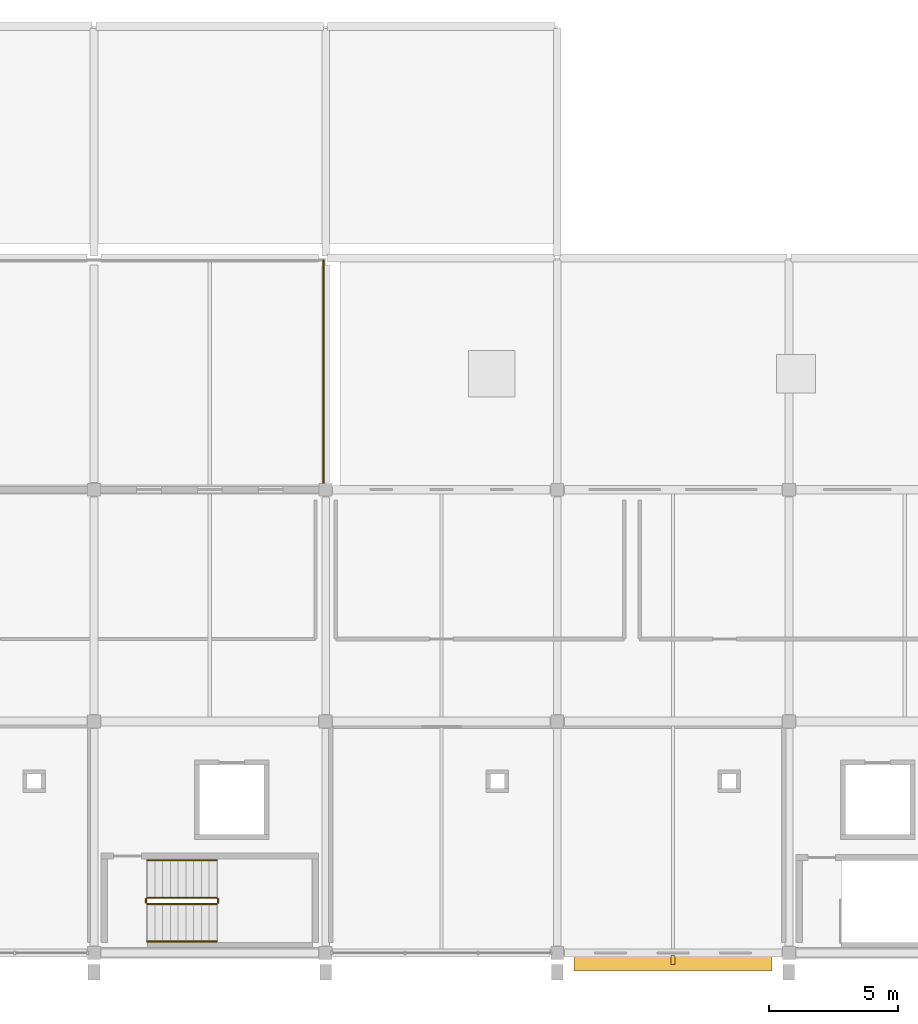
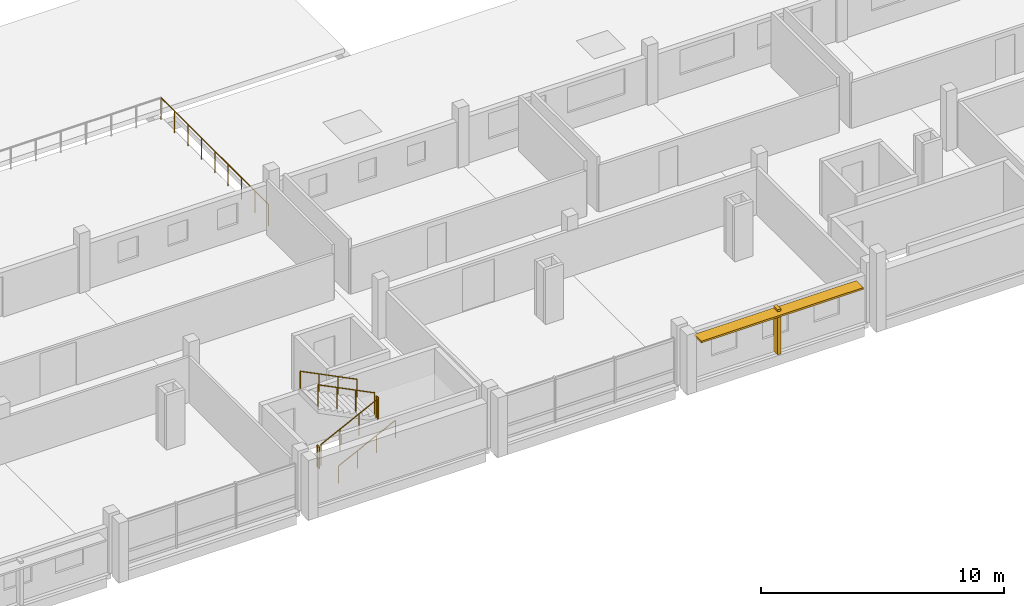
# One storey, part 24 of 25: 7 railings, 2 shading devices.
"""IFC4 building model written with IfcOpenShell, lengths in metres."""

from ifc_helpers import new_model, si_unit, direction, frame, origin, origin_2d, place, context, subcontext, project, spatial, rectangle, circle, extrude, material, layer, layer_set, type_object, element, save


model = new_model("IFC4")

# Units and contexts
model_context = context("Model", 3, precision=1e-05, world=origin(), true_north=direction((0.0, 1.0)))
body_context = subcontext(model_context, "Body", "Model", "MODEL_VIEW")
ifc_project = project(units=[si_unit("LENGTHUNIT", "METRE"), si_unit("AREAUNIT", "SQUARE_METRE"), si_unit("VOLUMEUNIT", "CUBIC_METRE"), si_unit("PLANEANGLEUNIT", "RADIAN"), si_unit("MASSUNIT", "GRAM", prefix="KILO")], contexts=[model_context])

# Site, building, storey
site_placement = place(None, origin())
site = spatial("IfcSite", under=ifc_project, at=site_placement, CompositionType="ELEMENT")
building_placement = place(site_placement, origin())
building = spatial("IfcBuilding", under=site, at=building_placement, Name="Tharagai Park Tramway Depot", CompositionType="ELEMENT")
storey_placement = place(building_placement, frame((0.0, 0.0, 12.0)))
storey = spatial("IfcBuildingStorey", under=building, at=storey_placement, Name="L03", CompositionType="ELEMENT", Elevation=12.0)

# Railings
ifc_material_1 = material(Name="Galvanised steel", Category="steel")
railing_type_1 = type_object("IfcRailingType", Name="GR-01", PredefinedType="BALUSTRADE", material=ifc_material_1)
railing_1_placement = place(storey_placement, frame((44.919921875, 18.080078125, 0.0)))
element("IfcRailing", 1, at=railing_1_placement, inside=storey, type_object=railing_type_1, Name="Canteen Monsoon Terrace Perimeter Guard E", PredefinedType="BALUSTRADE", context=body_context, shape_type="SweptSolid", body=[
    extrude(circle(Radius=0.02392578125, at=origin_2d()), frame((0.0, 0.0, 1.076171875), z_axis=(0.0, 1.0, 0.0), x_axis=(-1.0, 0.0, 0.0)), (0.0, 0.0, 1.0), 8.83984375),
    extrude(circle(Radius=0.02099609375, at=origin_2d()), origin(), (0.0, 0.0, 1.0), 1.052001953125),
    extrude(circle(Radius=0.02099609375, at=origin_2d()), frame((0.0, 1.10498046875, 0.0)), (0.0, 0.0, 1.0), 1.052001953125),
    extrude(circle(Radius=0.02099609375, at=origin_2d()), frame((0.0, 2.2099609375, 0.0)), (0.0, 0.0, 1.0), 1.052001953125),
    extrude(circle(Radius=0.02099609375, at=origin_2d()), frame((0.0, 3.31494140625, 0.0)), (0.0, 0.0, 1.0), 1.052001953125),
    extrude(circle(Radius=0.02099609375, at=origin_2d()), frame((0.0, 4.419921875, 0.0)), (0.0, 0.0, 1.0), 1.052001953125),
    extrude(circle(Radius=0.02099609375, at=origin_2d()), frame((0.0, 5.52490234375, 0.0)), (0.0, 0.0, 1.0), 1.052001953125),
    extrude(circle(Radius=0.02099609375, at=origin_2d()), frame((0.0, 6.6298828125, 0.0)), (0.0, 0.0, 1.0), 1.052001953125),
    extrude(circle(Radius=0.02099609375, at=origin_2d()), frame((0.0, 7.73486328125, 0.0)), (0.0, 0.0, 1.0), 1.052001953125),
    extrude(circle(Radius=0.02099609375, at=origin_2d()), frame((0.0, 8.83984375, 0.0)), (0.0, 0.0, 1.0), 1.052001953125),
])
railing_type_2 = type_object("IfcRailingType", Name="HR-02", PredefinedType="GUARDRAIL", material=ifc_material_1)
railing_2_placement = place(storey_placement, frame((38.070068359375, 1.89990234375, 0.14990234375)))
element("IfcRailing", 2, at=railing_2_placement, inside=storey, type_object=railing_type_2, Name="L03 ST-02 stair guard 1", PredefinedType="GUARDRAIL", context=body_context, shape_type="SweptSolid", body=[
    extrude(circle(Radius=0.02392578125, at=origin_2d()), frame((0.0, 0.0, 1.076171875), z_axis=(0.894411015155, 0.0, 0.447245945728), x_axis=(0.0, 1.0, 0.0)), (0.0, 0.0, 1.0), 3.018798828125),
    extrude(circle(Radius=0.02099609375, at=origin_2d()), origin(), (0.0, 0.0, 1.0), 1.052001953125),
    extrude(circle(Radius=0.02099609375, at=origin_2d()), frame((0.89990234375, 0.0, 0.449951171875)), (0.0, 0.0, 1.0), 1.052001953125),
    extrude(circle(Radius=0.02099609375, at=origin_2d()), frame((1.800048828125, 0.0, 0.900146484375)), (0.0, 0.0, 1.0), 1.052001953125),
    extrude(circle(Radius=0.02099609375, at=origin_2d()), frame((2.699951171875, 0.0, 1.35009765625)), (0.0, 0.0, 1.0), 1.052001953125),
])
railing_3_placement = place(storey_placement, frame((40.820068359375, 1.949951171875, 1.5)))
element("IfcRailing", 3, at=railing_3_placement, inside=storey, type_object=railing_type_2, Name="L03 ST-02 stair guard 2", PredefinedType="GUARDRAIL", context=body_context, shape_type="SweptSolid", body=[
    extrude(circle(Radius=0.02392578125, at=origin_2d()), frame((0.0, 0.0, 1.076171875), z_axis=(0.0, 1.0, 0.0), x_axis=(-1.0, 0.0, 0.0)), (0.0, 0.0, 1.0), 0.150146484375),
    extrude(circle(Radius=0.02099609375, at=origin_2d()), origin(), (0.0, 0.0, 1.0), 1.052001953125),
    extrude(circle(Radius=0.02099609375, at=origin_2d()), frame((0.0, 0.150146484375, 0.0)), (0.0, 0.0, 1.0), 1.052001953125),
])
railing_4_placement = place(storey_placement, frame((40.77001953125, 2.14990234375, 1.64990234375)))
element("IfcRailing", 4, at=railing_4_placement, inside=storey, type_object=railing_type_2, Name="L03 ST-02 stair guard 3", PredefinedType="GUARDRAIL", context=body_context, shape_type="SweptSolid", body=[
    extrude(circle(Radius=0.02392578125, at=origin_2d()), frame((0.0, 0.0, 1.076171875), z_axis=(-0.894411015155, 0.0, 0.447245945728), x_axis=(0.0, -1.0, 0.0)), (0.0, 0.0, 1.0), 3.018798828125),
    extrude(circle(Radius=0.02099609375, at=origin_2d()), origin(), (0.0, 0.0, 1.0), 1.052001953125),
    extrude(circle(Radius=0.02099609375, at=origin_2d()), frame((-0.89990234375, 0.0, 0.449951171875)), (0.0, 0.0, 1.0), 1.052001953125),
    extrude(circle(Radius=0.02099609375, at=origin_2d()), frame((-1.800048828125, 0.0, 0.900146484375)), (0.0, 0.0, 1.0), 1.052001953125),
    extrude(circle(Radius=0.02099609375, at=origin_2d()), frame((-2.699951171875, 0.0, 1.35009765625)), (0.0, 0.0, 1.0), 1.052001953125),
])
railing_5_placement = place(storey_placement, frame((38.02001953125, 1.949951171875, 0.0)))
element("IfcRailing", 5, at=railing_5_placement, inside=storey, type_object=railing_type_2, Name="L03 ST-02 stair guard 4", PredefinedType="GUARDRAIL", context=body_context, shape_type="SweptSolid", body=[
    extrude(circle(Radius=0.02392578125, at=origin_2d()), frame((0.0, 0.0, 1.076171875), z_axis=(0.0, 1.0, 0.0), x_axis=(-1.0, 0.0, 0.0)), (0.0, 0.0, 1.0), 0.150146484375),
    extrude(circle(Radius=0.02099609375, at=origin_2d()), origin(), (0.0, 0.0, 1.0), 1.052001953125),
    extrude(circle(Radius=0.02099609375, at=origin_2d()), frame((0.0, 0.150146484375, 0.0)), (0.0, 0.0, 1.0), 1.052001953125),
])
railing_type_3 = type_object("IfcRailingType", Name="HR-03", PredefinedType="HANDRAIL", material=ifc_material_1)
railing_6_placement = place(storey_placement, frame((38.070068359375, 0.449951171875, 0.14990234375)))
element("IfcRailing", 6, at=railing_6_placement, inside=storey, type_object=railing_type_3, Name="L03 ST-02 stair handrail 1", PredefinedType="HANDRAIL", context=body_context, shape_type="SweptSolid", body=[
    extrude(circle(Radius=0.02392578125, at=origin_2d()), frame((0.0, 0.0, 0.8759765625), z_axis=(0.894411015155, 0.0, 0.447245945728), x_axis=(0.0, 1.0, 0.0)), (0.0, 0.0, 1.0), 3.018798828125),
    extrude(circle(Radius=0.02099609375, at=origin_2d()), origin(), (0.0, 0.0, 1.0), 0.851806640625),
    extrude(circle(Radius=0.02099609375, at=origin_2d()), frame((0.89990234375, 0.0, 0.449951171875)), (0.0, 0.0, 1.0), 0.851806640625),
    extrude(circle(Radius=0.02099609375, at=origin_2d()), frame((1.800048828125, 0.0, 0.900146484375)), (0.0, 0.0, 1.0), 0.851806640625),
    extrude(circle(Radius=0.02099609375, at=origin_2d()), frame((2.699951171875, 0.0, 1.35009765625)), (0.0, 0.0, 1.0), 0.851806640625),
])
railing_7_placement = place(storey_placement, frame((40.77001953125, 3.60009765625, 1.64990234375)))
element("IfcRailing", 7, at=railing_7_placement, inside=storey, type_object=railing_type_3, Name="L03 ST-02 stair handrail 2", PredefinedType="HANDRAIL", context=body_context, shape_type="SweptSolid", body=[
    extrude(circle(Radius=0.02392578125, at=origin_2d()), frame((0.0, 0.0, 0.8759765625), z_axis=(-0.894411015155, 0.0, 0.447245945728), x_axis=(0.0, -1.0, 0.0)), (0.0, 0.0, 1.0), 3.018798828125),
    extrude(circle(Radius=0.02099609375, at=origin_2d()), origin(), (0.0, 0.0, 1.0), 0.851806640625),
    extrude(circle(Radius=0.02099609375, at=origin_2d()), frame((-0.89990234375, 0.0, 0.449951171875)), (0.0, 0.0, 1.0), 0.851806640625),
    extrude(circle(Radius=0.02099609375, at=origin_2d()), frame((-1.800048828125, 0.0, 0.900146484375)), (0.0, 0.0, 1.0), 0.851806640625),
    extrude(circle(Radius=0.02099609375, at=origin_2d()), frame((-2.699951171875, 0.0, 1.35009765625)), (0.0, 0.0, 1.0), 0.851806640625),
])

# Shading devices
ifc_material_2 = material(Name="Anodised aluminium", Category="aluminium")
ifc_layer_1 = layer(ifc_material_2, 0.090087890625)
ifc_layer_set_1 = layer_set([ifc_layer_1], Name="Anodised aluminium")
shading_device_type_1 = type_object("IfcShadingDeviceType", Name="SD-01", PredefinedType="SHUTTER", material=ifc_layer_set_1)
shading_device_1_placement = place(storey_placement, frame((58.5, -0.409912109375, 2.09716796875), z_axis=(0.0, 0.0, 1.0), x_axis=(1.0, 0.0, 0.0)))
element("IfcShadingDevice", 8, at=shading_device_1_placement, inside=storey, type_object=shading_device_type_1, Name="Monsoon Storm Louvre Hood SD-01 #71", PredefinedType="SHUTTER", context=body_context, shape_type="SweptSolid", body=[
    extrude(rectangle(XDim=7.7041015625, YDim=0.580078125, at=origin_2d()), origin(), (0.0, 0.0, 1.0), 0.090087890625),
])
ifc_material_3 = material(Name="Charnockite stone", Category="masonry")
ifc_layer_2 = layer(ifc_material_3, 0.159912109375)
ifc_layer_set_2 = layer_set([ifc_layer_2], Name="Charnockite stone")
shading_device_type_2 = type_object("IfcShadingDeviceType", Name="SD-02", PredefinedType="JALOUSIE", material=ifc_layer_set_2)
shading_device_2_placement = place(storey_placement, frame((58.5, -0.27001953125, 0.02978515625), z_axis=(0.0, 0.0, 1.0), x_axis=(1.0, 0.0, 0.0)))
element("IfcShadingDevice", 9, at=shading_device_2_placement, inside=storey, type_object=shading_device_type_2, Name="Charnockite Gothic Lancet Mullion Fin SD-02 #29", PredefinedType="JALOUSIE", context=body_context, shape_type="SweptSolid", body=[
    extrude(rectangle(XDim=0.159912109375, YDim=0.360107421875, at=origin_2d()), origin(), (0.0, 0.0, 1.0), 2.261962890625),
])

save(model, "model.ifc")
